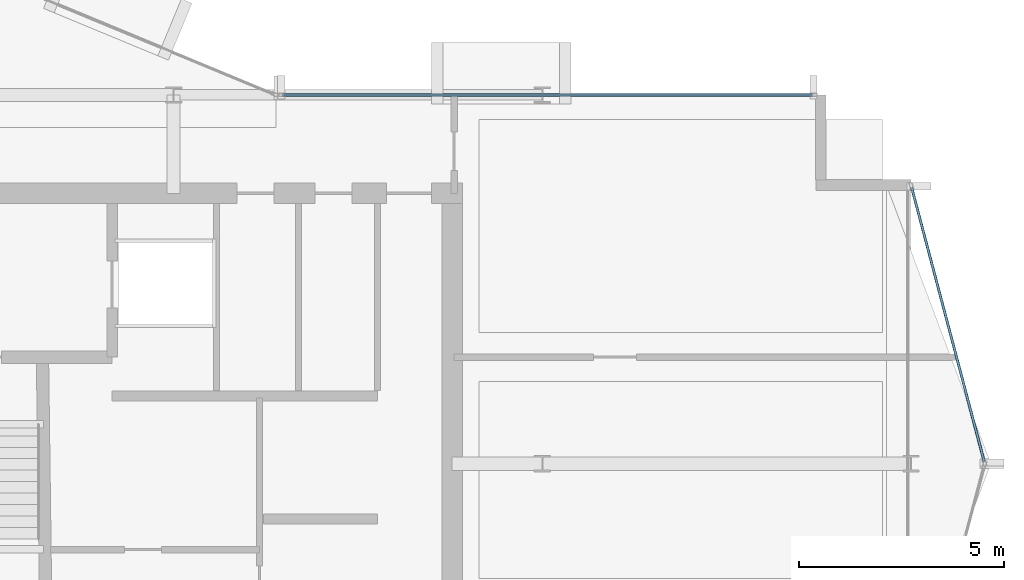
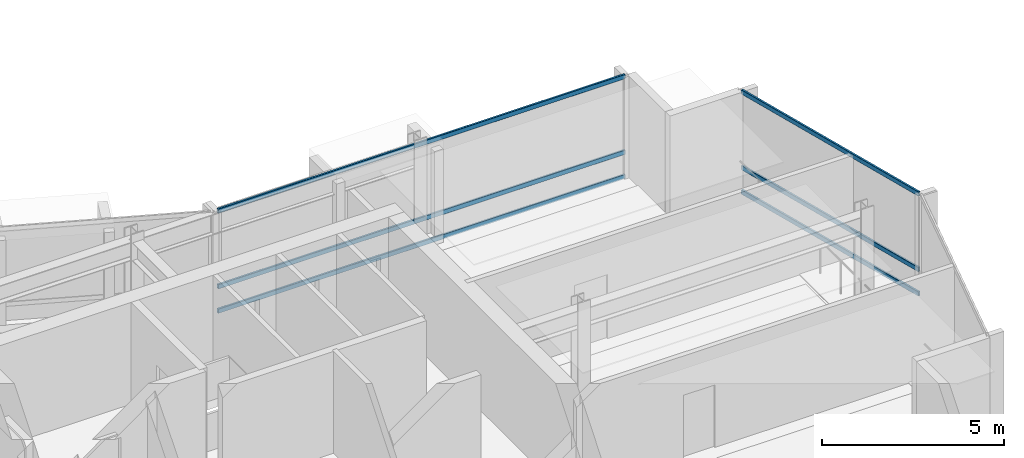
# One storey, part 13 of 28: 6 members, 2 elements without a shape of their own.
"""IFC4 building model written with IfcOpenShell, lengths in metres."""

from ifc_helpers import new_model, si_unit, direction, frame, origin, origin_2d, place, context, subcontext, project, spatial, hollow_rectangle, extrude, material, layer, layer_set, material_profile, profile_set, type_object, element, aggregate, save


model = new_model("IFC4")

# Units and contexts
model_context = context("Model", 3, precision=1e-05, world=origin(), true_north=direction((0.0, 1.0)))
body_context = subcontext(model_context, "Body", "Model", "MODEL_VIEW")
ifc_project = project(units=[si_unit("LENGTHUNIT", "METRE"), si_unit("AREAUNIT", "SQUARE_METRE"), si_unit("VOLUMEUNIT", "CUBIC_METRE"), si_unit("PLANEANGLEUNIT", "RADIAN"), si_unit("MASSUNIT", "GRAM", prefix="KILO")], contexts=[model_context])

# Site, building, storey
site_placement = place(None, origin())
site = spatial("IfcSite", under=ifc_project, at=site_placement, CompositionType="ELEMENT")
building_placement = place(site_placement, origin())
building = spatial("IfcBuilding", under=site, at=building_placement, Name="Solvaryn Broadcast Tower", CompositionType="ELEMENT")
storey_placement = place(building_placement, frame((0.0, 0.0, 206.199951171875)))
storey = spatial("IfcBuildingStorey", under=building, at=storey_placement, Name="L51", CompositionType="ELEMENT", Elevation=206.199951171875)

# Curtain wall, members
ifc_material_1 = material(Name="Aluminium and Terracotta Unitised Curtain Wall", Category="masonry")
ifc_layer = layer(ifc_material_1, 0.199951171875)
ifc_layer_set = layer_set([ifc_layer], Name="CW-SYS2-LOWMID")
curtain_wall_type = type_object("IfcCurtainWallType", Name="CW-SYS2-LOWMID", PredefinedType="NOTDEFINED", material=ifc_layer_set)
curtain_wall_1_placement = place(storey_placement, origin())
curtain_wall_1 = element("IfcCurtainWall", 1, at=curtain_wall_1_placement, inside=storey, type_object=curtain_wall_type, Name="L51 Curtain Wall ET1", PredefinedType="NOTDEFINED")
ifc_material_2 = material(Name="Anodised Aluminium 6063-T6", Category="aluminium")
ifc_material_profile = material_profile(ifc_material_2, hollow_rectangle(XDim=0.06494140625, YDim=0.14990234375, WallThickness=0.00390625, InnerFilletRadius=0.00390625, OuterFilletRadius=0.008056640625, at=origin_2d()))
ifc_profile_set = profile_set([ifc_material_profile], Name="Anodised Aluminium 6063-T6")
member_type = type_object("IfcMemberType", Name="CW-TRN-150", PredefinedType="USERDEFINED", material=ifc_profile_set)
member_1_placement = place(storey_placement, frame((54.015380859375, 24.741943359375, 0.030029296875), z_axis=(0.255897413051, -0.966703943301, 0.0), x_axis=(0.966703943301, 0.255897413051, 0.0)))
member_1 = element("IfcMember", 2, at=member_1_placement, type_object=member_type, Name="CWS2 transom 1.1", ObjectType="TRANSOM", PredefinedType="USERDEFINED", context=body_context, shape_type="SweptSolid", body=[
    extrude(hollow_rectangle(XDim=0.06494140625, YDim=0.14990234375, WallThickness=0.00390625, InnerFilletRadius=0.00390625, OuterFilletRadius=0.008056640625, at=origin_2d()), origin(), (0.0, 0.0, 1.0), 6.9140625),
])
member_2_placement = place(storey_placement, frame((54.015380859375, 24.741943359375, 0.85009765625), z_axis=(0.255897413051, -0.966703943301, 0.0), x_axis=(0.966703943301, 0.255897413051, 0.0)))
member_2 = element("IfcMember", 3, at=member_2_placement, type_object=member_type, Name="CWS2 transom 1.2", ObjectType="TRANSOM", PredefinedType="USERDEFINED", context=body_context, shape_type="SweptSolid", body=[
    extrude(hollow_rectangle(XDim=0.06494140625, YDim=0.14990234375, WallThickness=0.00390625, InnerFilletRadius=0.00390625, OuterFilletRadius=0.008056640625, at=origin_2d()), origin(), (0.0, 0.0, 1.0), 6.9140625),
])
member_3_placement = place(storey_placement, frame((54.015380859375, 24.741943359375, 3.39013671875), z_axis=(0.255897413051, -0.966703943301, 0.0), x_axis=(0.966703943301, 0.255897413051, 0.0)))
member_3 = element("IfcMember", 4, at=member_3_placement, type_object=member_type, Name="CWS2 transom 1.3", ObjectType="TRANSOM", PredefinedType="USERDEFINED", context=body_context, shape_type="SweptSolid", body=[
    extrude(hollow_rectangle(XDim=0.06494140625, YDim=0.14990234375, WallThickness=0.00390625, InnerFilletRadius=0.00390625, OuterFilletRadius=0.008056640625, at=origin_2d()), origin(), (0.0, 0.0, 1.0), 6.9140625),
])
aggregate(curtain_wall_1, [member_1, member_2, member_3])

curtain_wall_2_placement = place(storey_placement, origin())
curtain_wall_2 = element("IfcCurtainWall", 5, at=curtain_wall_2_placement, inside=storey, type_object=curtain_wall_type, Name="L51 Curtain Wall IH", PredefinedType="NOTDEFINED")
member_4_placement = place(storey_placement, frame((38.659912109375, 27.0, 0.030029296875), z_axis=(1.0, 0.0, 0.0), x_axis=(0.0, 1.0, 0.0)))
member_4 = element("IfcMember", 6, at=member_4_placement, type_object=member_type, Name="CWS2 transom 1.1", ObjectType="TRANSOM", PredefinedType="USERDEFINED", context=body_context, shape_type="SweptSolid", body=[
    extrude(hollow_rectangle(XDim=0.06494140625, YDim=0.14990234375, WallThickness=0.00390625, InnerFilletRadius=0.00390625, OuterFilletRadius=0.008056640625, at=origin_2d()), origin(), (0.0, 0.0, 1.0), 12.93017578125),
])
member_5_placement = place(storey_placement, frame((38.659912109375, 27.0, 0.85009765625), z_axis=(1.0, 0.0, 0.0), x_axis=(0.0, 1.0, 0.0)))
member_5 = element("IfcMember", 7, at=member_5_placement, type_object=member_type, Name="CWS2 transom 1.2", ObjectType="TRANSOM", PredefinedType="USERDEFINED", context=body_context, shape_type="SweptSolid", body=[
    extrude(hollow_rectangle(XDim=0.06494140625, YDim=0.14990234375, WallThickness=0.00390625, InnerFilletRadius=0.00390625, OuterFilletRadius=0.008056640625, at=origin_2d()), origin(), (0.0, 0.0, 1.0), 12.93017578125),
])
member_6_placement = place(storey_placement, frame((38.659912109375, 27.0, 3.39013671875), z_axis=(1.0, 0.0, 0.0), x_axis=(0.0, 1.0, 0.0)))
member_6 = element("IfcMember", 8, at=member_6_placement, type_object=member_type, Name="CWS2 transom 1.3", ObjectType="TRANSOM", PredefinedType="USERDEFINED", context=body_context, shape_type="SweptSolid", body=[
    extrude(hollow_rectangle(XDim=0.06494140625, YDim=0.14990234375, WallThickness=0.00390625, InnerFilletRadius=0.00390625, OuterFilletRadius=0.008056640625, at=origin_2d()), origin(), (0.0, 0.0, 1.0), 12.93017578125),
])
aggregate(curtain_wall_2, [member_4, member_5, member_6])

save(model, "model.ifc")
